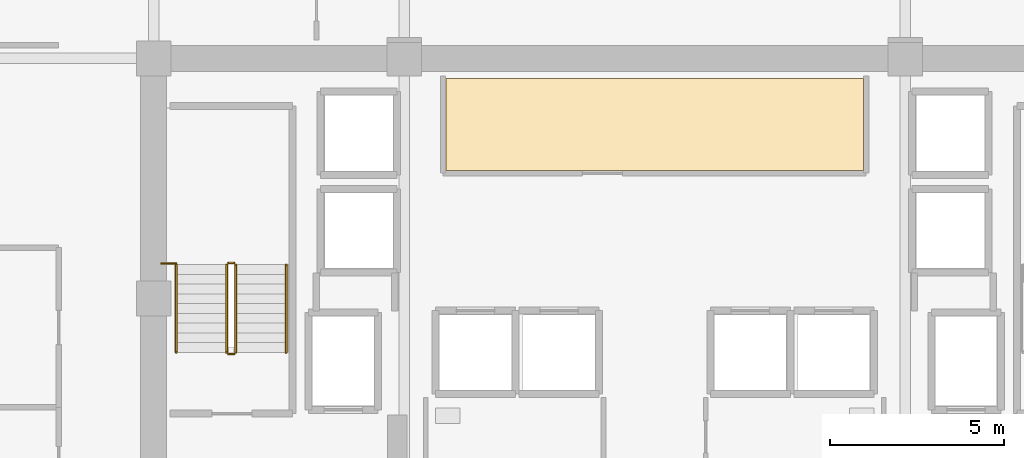
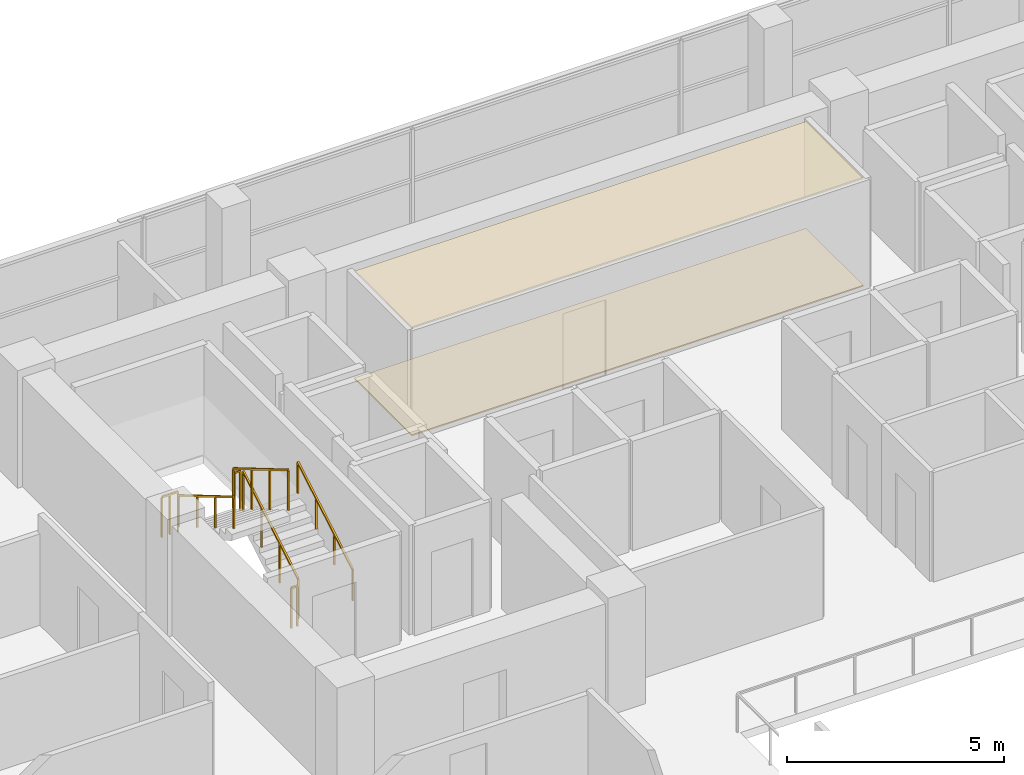
# One storey, part 23 of 25: 7 railings, 2 coverings.
"""IFC4 building model written with IfcOpenShell, lengths in metres."""

import ifcopenshell
import ifcopenshell.guid

model = None  # the IFC model being written
_history = None  # IfcOwnerHistory: only IFC2X3 demands one
_inside = {}  # id of a spatial element -> (the spatial element, [elements in it])
_under = {}  # id of a project, library or spatial element -> (it, [spatial elements below it])
_declared = {}  # id of a project -> (the project, [libraries it declares])
_typed = {}  # id of a type object -> (the type object, [elements of that type])
_made_of = {}  # id of a material, layer set ... -> (it, [elements and type objects made of it])


def new_model(schema):
    """Start an empty IFC model of exactly this schema.

    Asked for "IFC4X3", IfcOpenShell would pick the latest addendum, in which some entities
    have other attributes; the version numbers below select the first issue.
    IFC2X3 requires an IfcOwnerHistory on every rooted entity: one is made here for all.
    """
    global model, _history
    if schema == "IFC4X3":
        model = ifcopenshell.file(schema_version=(4, 3, 0, 0))
    else:
        model = ifcopenshell.file(schema=schema)
    _inside.clear()
    _under.clear()
    _declared.clear()
    _typed.clear()
    _made_of.clear()
    _history = None
    if model.schema == "IFC2X3":
        org = make("IfcOrganization", Name="unknown")
        user = make(
            "IfcPersonAndOrganization",
            ThePerson=make("IfcPerson", FamilyName="unknown"),
            TheOrganization=org,
        )
        app = make(
            "IfcApplication",
            ApplicationDeveloper=org,
            Version="unknown",
            ApplicationFullName="unknown",
            ApplicationIdentifier="unknown",
        )
        _history = make(
            "IfcOwnerHistory",
            OwningUser=user,
            OwningApplication=app,
            ChangeAction="ADDED",
            CreationDate=0,
        )
    return model


def make(cls, **values):
    """One entity of the class cls with the attributes given. An attribute that is None is left unset."""
    return model.create_entity(
        cls, **{name: value for name, value in values.items() if value is not None}
    )


def rooted(cls, **values):
    """An entity with a GlobalId (a new one), such as an element, a storey or a relation."""
    return make(cls, GlobalId=ifcopenshell.guid.new(), OwnerHistory=_history, **values)


def si_unit(unit_type, name, prefix=None):
    """IfcSIUnit, for example si_unit("LENGTHUNIT", "METRE", prefix="MILLI")."""
    return make("IfcSIUnit", UnitType=unit_type, Prefix=prefix, Name=name)


def assignment(units):
    """IfcUnitAssignment: the units of a project."""
    return None if units is None else make("IfcUnitAssignment", Units=units)


def point(xyz):
    """IfcCartesianPoint."""
    return None if xyz is None else make("IfcCartesianPoint", Coordinates=xyz)


def direction(xyz):
    """IfcDirection."""
    return None if xyz is None else make("IfcDirection", DirectionRatios=xyz)


def frame(location, z_axis=None, x_axis=None):
    """IfcAxis2Placement3D, a coordinate frame: its origin and axes. An axis left out is left unset."""
    return make(
        "IfcAxis2Placement3D",
        Location=point(location),
        Axis=direction(z_axis),
        RefDirection=direction(x_axis),
    )


def frame_2d(location, x_axis=None):
    """IfcAxis2Placement2D, a coordinate frame in the plane: its origin and x axis."""
    return make(
        "IfcAxis2Placement2D", Location=point(location), RefDirection=direction(x_axis)
    )


def origin():
    """The frame at (0, 0, 0) with its axes left unset."""
    return frame((0.0, 0.0, 0.0))


def origin_2d():
    """The frame at (0, 0) in the plane with its x axis left unset."""
    return frame_2d((0.0, 0.0))


def place(relative_to, where):
    """IfcLocalPlacement: puts the frame where relative to a parent placement (None: the world)."""
    return make(
        "IfcLocalPlacement", PlacementRelTo=relative_to, RelativePlacement=where
    )


def context(
    kind, dimensions, precision=None, world=None, true_north=None, identifier=None
):
    """IfcGeometricRepresentationContext, for example the 3D "Model" context."""
    return make(
        "IfcGeometricRepresentationContext",
        ContextIdentifier=identifier,
        ContextType=kind,
        CoordinateSpaceDimension=dimensions,
        Precision=precision,
        WorldCoordinateSystem=world,
        TrueNorth=true_north,
    )


def subcontext(parent, identifier, kind, view, scale=None):
    """IfcGeometricRepresentationSubContext, for example "Body" below "Model"."""
    return make(
        "IfcGeometricRepresentationSubContext",
        ContextIdentifier=identifier,
        ContextType=kind,
        ParentContext=parent,
        TargetScale=scale,
        TargetView=view,
    )


def project(units=None, contexts=None):
    """IfcProject with its units and contexts."""
    return rooted(
        "IfcProject",
        Name="project",
        RepresentationContexts=contexts,
        UnitsInContext=assignment(units),
    )


def spatial(cls, under=None, at=None, **own):
    """A site, building, storey or space (cls), placed at a placement, below another one or the project."""
    s = rooted(cls, ObjectPlacement=at, **own)
    if under is not None:
        _under.setdefault(under.id(), (under, []))[1].append(s)
    return s


def polyline(points):
    """IfcPolyline through the points."""
    return make("IfcPolyline", Points=[point(p) for p in points])


def profile(cls, at=None, kind="AREA", **sizes):
    """A parametric profile (cls). Its sizes go by their IFC names, for example OverallWidth=200.0."""
    return make(cls, ProfileType=kind, Position=at, **sizes)


def rectangle(**sizes):
    """IfcRectangleProfileDef."""
    return profile("IfcRectangleProfileDef", **sizes)


def outline(outer, holes=None, kind="AREA"):
    """IfcArbitraryClosedProfileDef: a profile drawn as a closed curve; with holes, ...WithVoids."""
    if holes is None:
        return make("IfcArbitraryClosedProfileDef", ProfileType=kind, OuterCurve=outer)
    return make(
        "IfcArbitraryProfileDefWithVoids",
        ProfileType=kind,
        OuterCurve=outer,
        InnerCurves=holes,
    )


def extrude(swept, where, along, depth):
    """IfcExtrudedAreaSolid: the profile swept, set in the frame where, extruded along a direction by depth."""
    return make(
        "IfcExtrudedAreaSolid",
        SweptArea=swept,
        Position=where,
        ExtrudedDirection=direction(along),
        Depth=depth,
    )


def shape(context_of_items, identifier, shape_type, items):
    """IfcShapeRepresentation: the items that make up one representation, for example the "Body"."""
    return make(
        "IfcShapeRepresentation",
        ContextOfItems=context_of_items,
        RepresentationIdentifier=identifier,
        RepresentationType=shape_type,
        Items=items,
    )


def material(Name=None, Category=None):
    """IfcMaterial."""
    return make("IfcMaterial", Name=Name, Category=Category)


def layer(
    of_material, thickness, ventilated=None, Name=None, Category=None, Priority=None
):
    """IfcMaterialLayer: one layer of a wall or slab, of a material (None: an air gap)."""
    return make(
        "IfcMaterialLayer",
        Material=of_material,
        LayerThickness=thickness,
        IsVentilated=ventilated,
        Name=Name,
        Category=Category,
        Priority=Priority,
    )


def layer_set(layers, Name=None):
    """IfcMaterialLayerSet."""
    return make("IfcMaterialLayerSet", MaterialLayers=layers, LayerSetName=Name)


def made_of(thing, what):
    """Note that an element or type object is made of a material, layer set ...; save() writes the relation."""
    if what is not None:
        _made_of.setdefault(what.id(), (what, []))[1].append(thing)
    return thing


def type_object(cls, material=None, **own):
    """A type object (cls), such as IfcWallType, which elements share."""
    return made_of(rooted(cls, **own), material)


def element(
    cls,
    number,
    at=None,
    inside=None,
    cuts=None,
    type_object=None,
    material=None,
    context=None,
    identifier="Body",
    shape_type=None,
    held_by="IfcProductDefinitionShape",
    body=None,
    shapes=None,
    **own,
):
    """One element of the class cls, such as IfcWall. Its Tag is "e" and its number.

    at: its placement. inside: the storey or other place that contains it. cuts: it is an
    opening in that element (IfcRelVoidsElement). A single representation is given by context,
    identifier, shape_type and body (its items); several are given by shapes. held_by: the class
    of the entity that holds the representations. save() writes the other relations.
    """
    e = rooted(cls, Tag="e%d" % number, ObjectPlacement=at, **own)
    if body is not None:
        shapes = [shape(context, identifier, shape_type, body)]
    if shapes is not None:
        e.Representation = make(held_by, Representations=shapes)
    if inside is not None:
        _inside.setdefault(inside.id(), (inside, []))[1].append(e)
    if cuts is not None:
        rooted(
            "IfcRelVoidsElement", RelatingBuildingElement=cuts, RelatedOpeningElement=e
        )
    if type_object is not None:
        _typed.setdefault(type_object.id(), (type_object, []))[1].append(e)
    return made_of(e, material)


def aggregate(whole, parts):
    """IfcRelAggregates: a whole, such as a stair, and the parts it consists of."""
    return rooted("IfcRelAggregates", RelatingObject=whole, RelatedObjects=parts)


def save(model, path):
    """Write the relations noted so far, then the file.

    IfcRelAggregates (storeys below a building ...), IfcRelContainedInSpatialStructure (elements
    in a storey), IfcRelDefinesByType, IfcRelAssociatesMaterial and IfcRelDeclares: one each for
    every whole, place, type object, material and project.
    """
    for whole, parts in _under.values():
        aggregate(whole, parts)
    for where, things in _inside.values():
        rooted(
            "IfcRelContainedInSpatialStructure",
            RelatedElements=things,
            RelatingStructure=where,
        )
    for kind, things in _typed.values():
        rooted("IfcRelDefinesByType", RelatedObjects=things, RelatingType=kind)
    for what, things in _made_of.values():
        rooted("IfcRelAssociatesMaterial", RelatedObjects=things, RelatingMaterial=what)
    for by, libraries in _declared.values():
        rooted("IfcRelDeclares", RelatingContext=by, RelatedDefinitions=libraries)
    model.write(path)


model = new_model("IFC4")

# Units and contexts
model_context = context("Model", 3, precision=1e-05, world=origin(), true_north=direction((0.0, 1.0)))
body_context = subcontext(model_context, "Body", "Model", "MODEL_VIEW")
ifc_project = project(units=[si_unit("LENGTHUNIT", "METRE"), si_unit("AREAUNIT", "SQUARE_METRE"), si_unit("VOLUMEUNIT", "CUBIC_METRE"), si_unit("PLANEANGLEUNIT", "RADIAN"), si_unit("MASSUNIT", "GRAM", prefix="KILO")], contexts=[model_context])

# Site, building, storey
site_placement = place(None, origin())
site = spatial("IfcSite", under=ifc_project, at=site_placement, CompositionType="ELEMENT")
building_placement = place(site_placement, origin())
building = spatial("IfcBuilding", under=site, at=building_placement, Name="Zarnakvel Exchange Tower", CompositionType="ELEMENT")
storey_placement = place(building_placement, frame((0.0, 0.0, 169.300048828125)))
storey = spatial("IfcBuildingStorey", under=building, at=storey_placement, Name="L47", CompositionType="ELEMENT", Elevation=169.300048828125)

# Coverings
ifc_material_1 = material(Name="Perforated Bronze Acoustic Metal Ceiling", Category="aluminium")
ifc_layer_1 = layer(ifc_material_1, 0.02001953125)
ifc_layer_set_1 = layer_set([ifc_layer_1], Name="Perforated Bronze Acoustic Metal Ceiling")
covering_type_1 = type_object("IfcCoveringType", Name="CLG-01", PredefinedType="CEILING", material=ifc_layer_set_1)
covering_1_placement = place(storey_placement, frame((0.0, 0.0, 3.014892578125)))
element("IfcCovering", 1, at=covering_1_placement, inside=storey, type_object=covering_type_1, Name="L47 Suspended Acoustic Ceiling (Market Data Archive Suite)", PredefinedType="CEILING", context=body_context, shape_type="SweptSolid", body=[
    extrude(outline(polyline([(-6.0, 12.919921875), (6.0, 12.919921875), (6.0, 10.280029296875), (-6.0, 10.280029296875), (-6.0, 12.919921875)])), origin(), (0.0, 0.0, 1.0), 0.02001953125),
])
ifc_material_2 = material(Name="Heavy-Duty Raised Access Floor Panel", Category="steel")
ifc_layer_2 = layer(ifc_material_2, 0.034912109375)
ifc_layer_set_2 = layer_set([ifc_layer_2], Name="Heavy-Duty Raised Access Floor Panel")
covering_type_2 = type_object("IfcCoveringType", Name="FLR-02", PredefinedType="FLOORING", material=ifc_layer_set_2)
covering_2_placement = place(storey_placement, origin())
element("IfcCovering", 2, at=covering_2_placement, inside=storey, type_object=covering_type_2, Name="L47 Floor Finish (Market Data Archive Suite)", PredefinedType="FLOORING", context=body_context, shape_type="SweptSolid", body=[
    extrude(outline(polyline([(-6.0, 12.919921875), (6.0, 12.919921875), (6.0, 10.280029296875), (-6.0, 10.280029296875), (-6.0, 12.919921875)])), origin(), (0.0, 0.0, 1.0), 0.034912109375),
])

# Railings
ifc_material_3 = material(Name="Brushed Stainless Steel", Category="steel")
railing_type_1 = type_object("IfcRailingType", Name="HR-01", PredefinedType="HANDRAIL", material=ifc_material_3)
railing_1_placement = place(storey_placement, frame((-10.590087890625, 5.050048828125, 0.1650390625)))
element("IfcRailing", 3, at=railing_1_placement, inside=storey, type_object=railing_type_1, Name="L47 ST-01 stair handrail 1", PredefinedType="HANDRAIL", context=body_context, shape_type="SweptSolid", body=[
    extrude(rectangle(XDim=0.048095703125, YDim=0.048095703125, at=origin_2d()), frame((0.0, 0.0, 0.8759765625), z_axis=(0.0, 0.861560626758, 0.507654692109), x_axis=(-1.0, 0.0, 0.0)), (0.0, 0.0, 1.0), 2.925048828125),
    extrude(rectangle(XDim=0.0419921875, YDim=0.0419921875, at=origin_2d()), origin(), (0.0, 0.0, 1.0), 0.851806640625),
    extrude(rectangle(XDim=0.0419921875, YDim=0.0419921875, at=origin_2d()), frame((0.0, 0.840087890625, 0.494873046875)), (0.0, 0.0, 1.0), 0.851806640625),
    extrude(rectangle(XDim=0.0419921875, YDim=0.0419921875, at=origin_2d()), frame((0.0, 1.679931640625, 0.989990234375)), (0.0, 0.0, 1.0), 0.851806640625),
    extrude(rectangle(XDim=0.0419921875, YDim=0.0419921875, at=origin_2d()), frame((0.0, 2.52001953125, 1.48486328125)), (0.0, 0.0, 1.0), 0.851806640625),
])
railing_2_placement = place(storey_placement, frame((-13.75, 7.570068359375, 1.81494140625)))
element("IfcRailing", 4, at=railing_2_placement, inside=storey, type_object=railing_type_1, Name="L47 ST-01 stair handrail 2", PredefinedType="HANDRAIL", context=body_context, shape_type="SweptSolid", body=[
    extrude(rectangle(XDim=0.048095703125, YDim=0.048095703125, at=origin_2d()), frame((0.0, 0.0, 0.8759765625), z_axis=(0.0, -0.86152411907, 0.507716645641), x_axis=(1.0, 0.0, 0.0)), (0.0, 0.0, 1.0), 2.925048828125),
    extrude(rectangle(XDim=0.0419921875, YDim=0.0419921875, at=origin_2d()), origin(), (0.0, 0.0, 1.0), 0.851806640625),
    extrude(rectangle(XDim=0.0419921875, YDim=0.0419921875, at=origin_2d()), frame((0.0, -0.840087890625, 0.4951171875)), (0.0, 0.0, 1.0), 0.851806640625),
    extrude(rectangle(XDim=0.0419921875, YDim=0.0419921875, at=origin_2d()), frame((0.0, -1.679931640625, 0.989990234375)), (0.0, 0.0, 1.0), 0.851806640625),
    extrude(rectangle(XDim=0.0419921875, YDim=0.0419921875, at=origin_2d()), frame((0.0, -2.52001953125, 1.485107421875)), (0.0, 0.0, 1.0), 0.851806640625),
])
ifc_material_4 = material(Name="Architectural Bronze Anodised Aluminium", Category="aluminium")
railing_type_2 = type_object("IfcRailingType", Name="SG-01", PredefinedType="GUARDRAIL", material=ifc_material_4)
railing_3_placement = place(storey_placement, frame((-12.0400390625, 5.050048828125, 0.1650390625)))
element("IfcRailing", 5, at=railing_3_placement, inside=storey, type_object=railing_type_2, Name="L47 ST-01 stair guard 1", PredefinedType="GUARDRAIL", context=body_context, shape_type="SweptSolid", body=[
    extrude(rectangle(XDim=0.048095703125, YDim=0.048095703125, at=origin_2d()), frame((0.0, 0.0, 1.1259765625), z_axis=(0.0, 0.861560626758, 0.507654692109), x_axis=(-1.0, 0.0, 0.0)), (0.0, 0.0, 1.0), 2.925048828125),
    extrude(rectangle(XDim=0.0419921875, YDim=0.0419921875, at=origin_2d()), origin(), (0.0, 0.0, 1.0), 1.101806640625),
    extrude(rectangle(XDim=0.0419921875, YDim=0.0419921875, at=origin_2d()), frame((0.0, 0.840087890625, 0.494873046875)), (0.0, 0.0, 1.0), 1.101806640625),
    extrude(rectangle(XDim=0.0419921875, YDim=0.0419921875, at=origin_2d()), frame((0.0, 1.679931640625, 0.989990234375)), (0.0, 0.0, 1.0), 1.101806640625),
    extrude(rectangle(XDim=0.0419921875, YDim=0.0419921875, at=origin_2d()), frame((0.0, 2.52001953125, 1.48486328125)), (0.0, 0.0, 1.0), 1.101806640625),
])
railing_4_placement = place(storey_placement, frame((-12.090087890625, 7.6201171875, 1.64990234375)))
element("IfcRailing", 6, at=railing_4_placement, inside=storey, type_object=railing_type_2, Name="L47 ST-01 stair guard 2", PredefinedType="GUARDRAIL", context=body_context, shape_type="SweptSolid", body=[
    extrude(rectangle(XDim=0.048095703125, YDim=0.048095703125, at=origin_2d()), frame((0.0, 0.0, 1.1259765625), z_axis=(-1.0, 0.0, 0.0), x_axis=(0.0, -1.0, 0.0)), (0.0, 0.0, 1.0), 0.159912109375),
    extrude(rectangle(XDim=0.0419921875, YDim=0.0419921875, at=origin_2d()), origin(), (0.0, 0.0, 1.0), 1.101806640625),
    extrude(rectangle(XDim=0.0419921875, YDim=0.0419921875, at=origin_2d()), frame((-0.159912109375, 0.0, 0.0)), (0.0, 0.0, 1.0), 1.101806640625),
])
railing_5_placement = place(storey_placement, frame((-12.300048828125, 7.570068359375, 1.81494140625)))
element("IfcRailing", 7, at=railing_5_placement, inside=storey, type_object=railing_type_2, Name="L47 ST-01 stair guard 3", PredefinedType="GUARDRAIL", context=body_context, shape_type="SweptSolid", body=[
    extrude(rectangle(XDim=0.048095703125, YDim=0.048095703125, at=origin_2d()), frame((0.0, 0.0, 1.1259765625), z_axis=(0.0, -0.86152411907, 0.507716645641), x_axis=(1.0, 0.0, 0.0)), (0.0, 0.0, 1.0), 2.925048828125),
    extrude(rectangle(XDim=0.0419921875, YDim=0.0419921875, at=origin_2d()), origin(), (0.0, 0.0, 1.0), 1.101806640625),
    extrude(rectangle(XDim=0.0419921875, YDim=0.0419921875, at=origin_2d()), frame((0.0, -0.840087890625, 0.4951171875)), (0.0, 0.0, 1.0), 1.101806640625),
    extrude(rectangle(XDim=0.0419921875, YDim=0.0419921875, at=origin_2d()), frame((0.0, -1.679931640625, 0.989990234375)), (0.0, 0.0, 1.0), 1.101806640625),
    extrude(rectangle(XDim=0.0419921875, YDim=0.0419921875, at=origin_2d()), frame((0.0, -2.52001953125, 1.485107421875)), (0.0, 0.0, 1.0), 1.101806640625),
])
railing_6_placement = place(storey_placement, frame((-12.090087890625, 5.0, 0.0)))
element("IfcRailing", 8, at=railing_6_placement, inside=storey, type_object=railing_type_2, Name="L47 ST-01 stair guard 4", PredefinedType="GUARDRAIL", context=body_context, shape_type="SweptSolid", body=[
    extrude(rectangle(XDim=0.048095703125, YDim=0.048095703125, at=origin_2d()), frame((0.0, 0.0, 1.1259765625), z_axis=(-1.0, 0.0, 0.0), x_axis=(0.0, -1.0, 0.0)), (0.0, 0.0, 1.0), 0.159912109375),
    extrude(rectangle(XDim=0.0419921875, YDim=0.0419921875, at=origin_2d()), origin(), (0.0, 0.0, 1.0), 1.101806640625),
    extrude(rectangle(XDim=0.0419921875, YDim=0.0419921875, at=origin_2d()), frame((-0.159912109375, 0.0, 0.0)), (0.0, 0.0, 1.0), 1.101806640625),
])
railing_7_placement = place(storey_placement, frame((-14.179931640625, 7.610107421875, 1.64990234375)))
element("IfcRailing", 9, at=railing_7_placement, inside=storey, type_object=railing_type_2, Name="L47 ST-01 Landing Slot Guardrail", PredefinedType="GUARDRAIL", context=body_context, shape_type="SweptSolid", body=[
    extrude(rectangle(XDim=0.048095703125, YDim=0.048095703125, at=origin_2d()), frame((0.0, 0.0, 1.1259765625), z_axis=(1.0, 0.0, 0.0), x_axis=(0.0, 1.0, 0.0)), (0.0, 0.0, 1.0), 0.429931640625),
    extrude(rectangle(XDim=0.0419921875, YDim=0.0419921875, at=origin_2d()), origin(), (0.0, 0.0, 1.0), 1.101806640625),
    extrude(rectangle(XDim=0.0419921875, YDim=0.0419921875, at=origin_2d()), frame((0.21484375, 0.0, 0.0)), (0.0, 0.0, 1.0), 1.101806640625),
    extrude(rectangle(XDim=0.0419921875, YDim=0.0419921875, at=origin_2d()), frame((0.429931640625, 0.0, 0.0)), (0.0, 0.0, 1.0), 1.101806640625),
])

save(model, "model.ifc")
